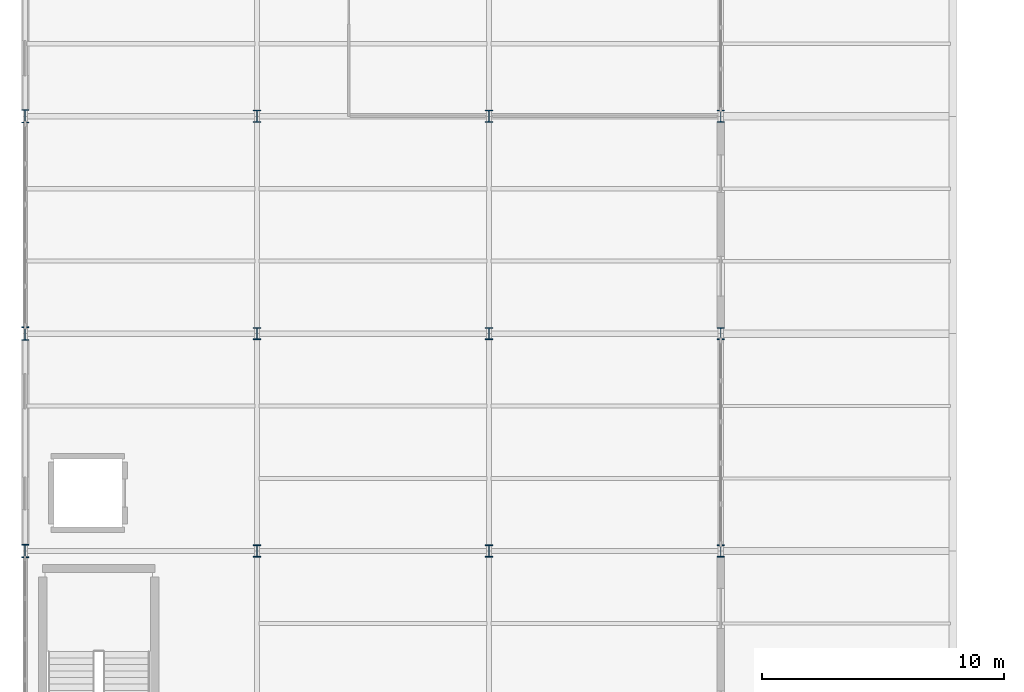
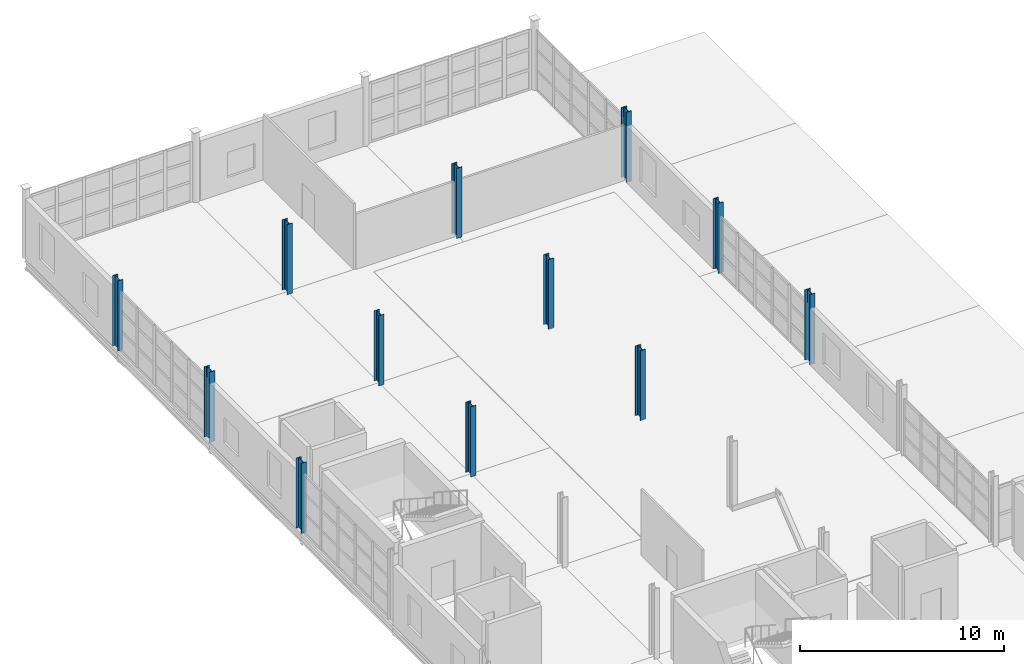
# One storey, part 3 of 82: 12 columns.
"""IFC4 building model written with IfcOpenShell, lengths in metres."""

from ifc_helpers import new_model, si_unit, direction, frame, origin, origin_2d, place, context, subcontext, project, spatial, i_section, extrude, material, material_profile, profile_set, type_object, element, save


model = new_model("IFC4")

# Units and contexts
model_context = context("Model", 3, precision=1e-05, world=origin(), true_north=direction((0.0, 1.0)))
body_context = subcontext(model_context, "Body", "Model", "MODEL_VIEW")
ifc_project = project(units=[si_unit("LENGTHUNIT", "METRE"), si_unit("AREAUNIT", "SQUARE_METRE"), si_unit("VOLUMEUNIT", "CUBIC_METRE"), si_unit("PLANEANGLEUNIT", "RADIAN"), si_unit("MASSUNIT", "GRAM", prefix="KILO")], contexts=[model_context])

# Site, building, storey
site_placement = place(None, origin())
site = spatial("IfcSite", under=ifc_project, at=site_placement, CompositionType="ELEMENT")
building_placement = place(site_placement, origin())
building = spatial("IfcBuilding", under=site, at=building_placement, Name="Zarnetskaya Central Station", CompositionType="ELEMENT")
storey_placement = place(building_placement, frame((0.0, 0.0, 10.199951171875)))
storey = spatial("IfcBuildingStorey", under=building, at=storey_placement, Name="L02", CompositionType="ELEMENT", Elevation=10.199951171875)

# Columns
ifc_material = material(Name="Steel S355", Category="steel")
ifc_material_profile_1 = material_profile(ifc_material, i_section(OverallWidth=0.300048828125, OverallDepth=0.550048828125, WebThickness=0.014892578125, FlangeThickness=0.029052734375, FilletRadius=0.027099609375, at=origin_2d()), Name="HEB 550")
ifc_profile_set_1 = profile_set([ifc_material_profile_1], Name="Steel S355")
column_type_1 = type_object("IfcColumnType", Name="COL-V5-MID-E", PredefinedType="COLUMN", material=ifc_profile_set_1)
for number, where, z_axis, x_axis, name in (
    (1, (0.0, 40.199951171875, 0.0), (0.0, 0.0, 1.0), (1.0, 0.0, 0.0), "Column A6 L02"),
    (2, (0.0, 49.199951171875, 0.0), (0.0, 0.0, 1.0), (1.0, 0.0, 0.0), "Column A7 L02"),
    (3, (0.0, 58.199951171875, 0.0), (0.0, 0.0, 1.0), (1.0, 0.0, 0.0), "Column A8 L02"),
):
    element("IfcColumn", number, at=place(storey_placement, frame(where, z_axis=z_axis, x_axis=x_axis)), inside=storey, type_object=column_type_1, Name=name, PredefinedType="COLUMN", context=body_context, shape_type="SweptSolid", body=[
        extrude(i_section(OverallWidth=0.300048828125, OverallDepth=0.550048828125, WebThickness=0.014892578125, FlangeThickness=0.029052734375, FilletRadius=0.027099609375, at=origin_2d()), origin(), (0.0, 0.0, 1.0), 4.199951171875),
    ])
ifc_material_profile_2 = material_profile(ifc_material, i_section(OverallWidth=0.300048828125, OverallDepth=0.5, WebThickness=0.014404296875, FlangeThickness=0.028076171875, FilletRadius=0.027099609375, at=origin_2d()), Name="HEB 500")
ifc_profile_set_2 = profile_set([ifc_material_profile_2], Name="Steel S355")
column_type_2 = type_object("IfcColumnType", Name="COL-V5-MID-I", PredefinedType="COLUMN", material=ifc_profile_set_2)
for number, where, z_axis, x_axis, name in (
    (4, (9.60009765625, 40.199951171875, 0.0), (0.0, 0.0, 1.0), (1.0, 0.0, 0.0), "Column B6 L02"),
    (5, (9.60009765625, 49.199951171875, 0.0), (0.0, 0.0, 1.0), (1.0, 0.0, 0.0), "Column B7 L02"),
    (6, (9.60009765625, 58.199951171875, 0.0), (0.0, 0.0, 1.0), (1.0, 0.0, 0.0), "Column B8 L02"),
    (7, (19.199951171875, 40.199951171875, 0.0), (0.0, 0.0, 1.0), (1.0, 0.0, 0.0), "Column C6 L02"),
    (8, (19.199951171875, 49.199951171875, 0.0), (0.0, 0.0, 1.0), (1.0, 0.0, 0.0), "Column C7 L02"),
    (9, (19.199951171875, 58.199951171875, 0.0), (0.0, 0.0, 1.0), (1.0, 0.0, 0.0), "Column C8 L02"),
    (10, (28.800048828125, 40.199951171875, 0.0), (0.0, 0.0, 1.0), (1.0, 0.0, 0.0), "Column D6 L02"),
    (11, (28.800048828125, 49.199951171875, 0.0), (0.0, 0.0, 1.0), (1.0, 0.0, 0.0), "Column D7 L02"),
    (12, (28.800048828125, 58.199951171875, 0.0), (0.0, 0.0, 1.0), (1.0, 0.0, 0.0), "Column D8 L02"),
):
    element("IfcColumn", number, at=place(storey_placement, frame(where, z_axis=z_axis, x_axis=x_axis)), inside=storey, type_object=column_type_2, Name=name, PredefinedType="COLUMN", context=body_context, shape_type="SweptSolid", body=[
        extrude(i_section(OverallWidth=0.300048828125, OverallDepth=0.5, WebThickness=0.014404296875, FlangeThickness=0.028076171875, FilletRadius=0.027099609375, at=origin_2d()), origin(), (0.0, 0.0, 1.0), 4.199951171875),
    ])

save(model, "model.ifc")
